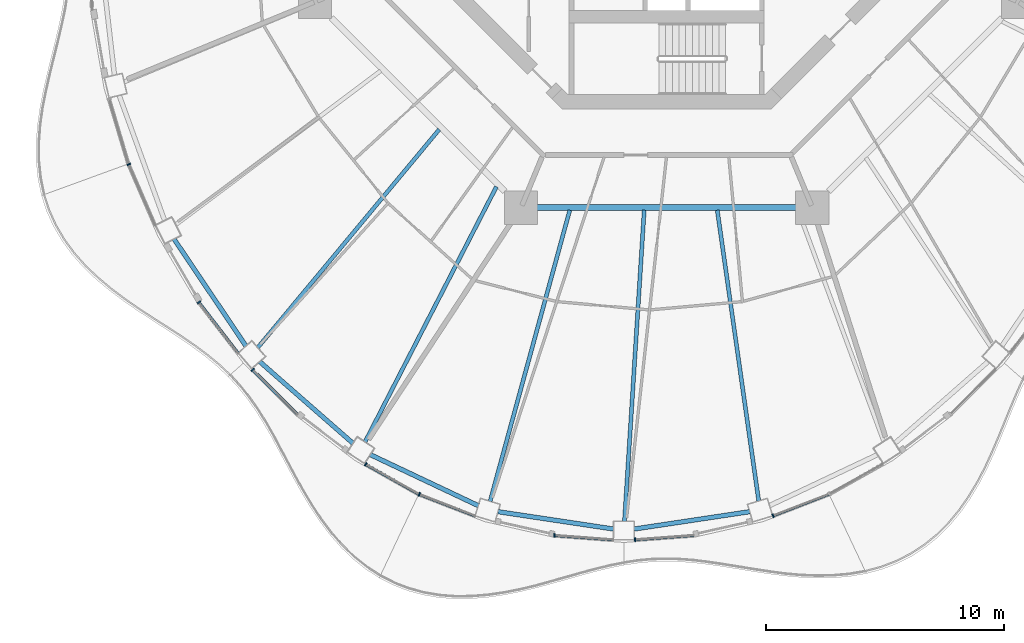
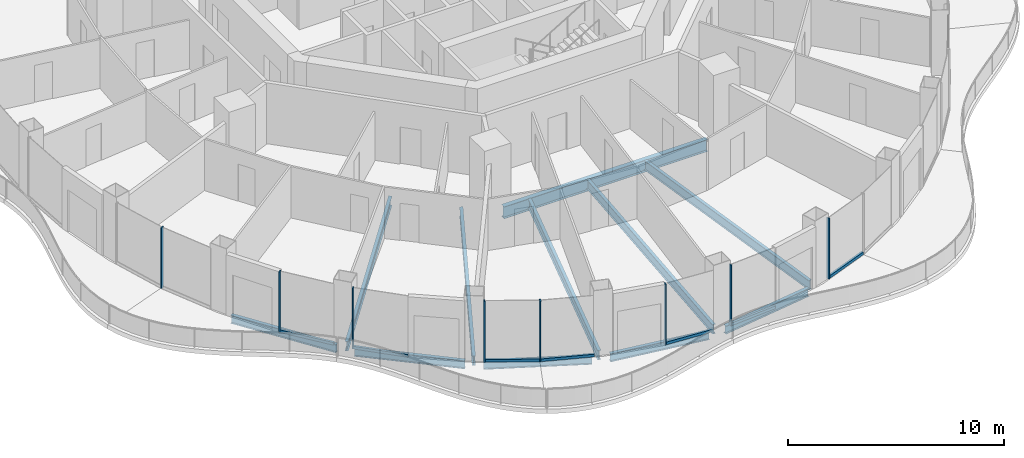
# One storey, part 2 of 17: 15 members, 11 beams, 8 elements without a shape of their own.
"""IFC4 building model written with IfcOpenShell, lengths in metres."""

from ifc_helpers import new_model, si_unit, direction, frame, origin, origin_2d, place, context, subcontext, project, spatial, rectangle, i_section, extrude, material, layer, layer_set, material_profile, profile_set, type_object, element, aggregate, save


model = new_model("IFC4")

# Units and contexts
model_context = context("Model", 3, precision=1e-05, world=origin(), true_north=direction((0.0, 1.0)))
body_context = subcontext(model_context, "Body", "Model", "MODEL_VIEW")
ifc_project = project(units=[si_unit("LENGTHUNIT", "METRE"), si_unit("AREAUNIT", "SQUARE_METRE"), si_unit("VOLUMEUNIT", "CUBIC_METRE"), si_unit("PLANEANGLEUNIT", "RADIAN"), si_unit("MASSUNIT", "GRAM", prefix="KILO")], contexts=[model_context])

# Site, building, storey
site_placement = place(None, origin())
site = spatial("IfcSite", under=ifc_project, at=site_placement, CompositionType="ELEMENT")
building_placement = place(site_placement, origin())
building = spatial("IfcBuilding", under=site, at=building_placement, Name="Nagisa Residences", CompositionType="ELEMENT")
storey_placement = place(building_placement, frame((0.0, 0.0, 288.10009765625)))
storey = spatial("IfcBuildingStorey", under=building, at=storey_placement, Name="L73", CompositionType="ELEMENT", Elevation=288.10009765625)

# Curtain wall, member
ifc_material_1 = material(Name="Concrete-coloured aluminium curtain wall system", Category="concrete")
ifc_layer = layer(ifc_material_1, 0.159912109375)
ifc_layer_set = layer_set([ifc_layer], Name="CW1 CURTAIN WALL")
curtain_wall_type = type_object("IfcCurtainWallType", Name="CW1 CURTAIN WALL", PredefinedType="NOTDEFINED", material=ifc_layer_set)
curtain_wall_1_placement = place(storey_placement, origin())
curtain_wall_1 = element("IfcCurtainWall", 1, at=curtain_wall_1_placement, inside=storey, type_object=curtain_wall_type, Name="cw:CW1:L73:27", PredefinedType="NOTDEFINED")
ifc_material_2 = material(Name="Concrete-coloured aluminium", Category="concrete")
ifc_material_profile_1 = material_profile(ifc_material_2, rectangle(XDim=0.159912109375, YDim=0.06005859375, at=origin_2d()), Name="CW1 MULLION 160x60")
ifc_profile_set_1 = profile_set([ifc_material_profile_1], Name="Concrete-coloured aluminium")
member_type_1 = type_object("IfcMemberType", Name="CW1 MULLION 160x60", PredefinedType="MULLION", material=ifc_profile_set_1)
member_1_placement = place(storey_placement, frame((-22.61279296875, -12.963623046875, 0.0), z_axis=(0.0, 0.0, 1.0), x_axis=(0.917543276295, 0.397635934147, 0.0)))
member_1 = element("IfcMember", 2, at=member_1_placement, type_object=member_type_1, Name="CW1 mullion", PredefinedType="MULLION", context=body_context, shape_type="SweptSolid", body=[
    extrude(rectangle(XDim=0.159912109375, YDim=0.06005859375, at=origin_2d()), origin(), (0.0, 0.0, 1.0), 3.43994140625),
])
aggregate(curtain_wall_1, [member_1])

curtain_wall_2_placement = place(storey_placement, origin())
curtain_wall_2 = element("IfcCurtainWall", 3, at=curtain_wall_2_placement, inside=storey, type_object=curtain_wall_type, Name="cw:CW1:L73:29", PredefinedType="NOTDEFINED")
member_2_placement = place(storey_placement, frame((-19.6640625, -18.76220703125, 0.0), z_axis=(0.0, 0.0, 1.0), x_axis=(0.792070340816, 0.610429828235, 0.0)))
member_2 = element("IfcMember", 4, at=member_2_placement, type_object=member_type_1, Name="CW1 mullion", PredefinedType="MULLION", context=body_context, shape_type="SweptSolid", body=[
    extrude(rectangle(XDim=0.159912109375, YDim=0.06005859375, at=origin_2d()), origin(), (0.0, 0.0, 1.0), 3.43994140625),
])

curtain_wall_3_placement = place(storey_placement, origin())
curtain_wall_3 = element("IfcCurtainWall", 5, at=curtain_wall_3_placement, inside=storey, type_object=curtain_wall_type, Name="cw:CW1:L73:30", PredefinedType="NOTDEFINED")
member_3_placement = place(storey_placement, frame((-17.3984375, -21.60107421875, 0.0), z_axis=(0.0, 0.0, 1.0), x_axis=(0.706376885714, 0.707835924016, 0.0)))
member_3 = element("IfcMember", 6, at=member_3_placement, type_object=member_type_1, Name="CW1 mullion", PredefinedType="MULLION", context=body_context, shape_type="SweptSolid", body=[
    extrude(rectangle(XDim=0.159912109375, YDim=0.06005859375, at=origin_2d()), origin(), (0.0, 0.0, 1.0), 3.43994140625),
])

curtain_wall_4_placement = place(storey_placement, origin())
curtain_wall_4 = element("IfcCurtainWall", 7, at=curtain_wall_4_placement, inside=storey, type_object=curtain_wall_type, Name="cw:CW1:L73:32", PredefinedType="NOTDEFINED")
member_4_placement = place(storey_placement, frame((-12.65234375, -25.57421875, 0.0), z_axis=(0.0, 0.0, 1.0), x_axis=(0.489376918501, 0.872072377523, 0.0)))
member_4 = element("IfcMember", 8, at=member_4_placement, type_object=member_type_1, Name="CW1 mullion", PredefinedType="MULLION", context=body_context, shape_type="SweptSolid", body=[
    extrude(rectangle(XDim=0.159912109375, YDim=0.06005859375, at=origin_2d()), origin(), (0.0, 0.0, 1.0), 3.43994140625),
])

curtain_wall_5_placement = place(storey_placement, origin())
curtain_wall_5 = element("IfcCurtainWall", 9, at=curtain_wall_5_placement, inside=storey, type_object=curtain_wall_type, Name="cw:CW1:L73:33", PredefinedType="NOTDEFINED")
member_5_placement = place(storey_placement, frame((-10.3994140625, -26.83447265625, 0.0), z_axis=(0.0, 0.0, 1.0), x_axis=(0.360327770268, 0.932825759707, 0.0)))
member_5 = element("IfcMember", 10, at=member_5_placement, type_object=member_type_1, Name="CW1 mullion", PredefinedType="MULLION", context=body_context, shape_type="SweptSolid", body=[
    extrude(rectangle(XDim=0.159912109375, YDim=0.06005859375, at=origin_2d()), origin(), (0.0, 0.0, 1.0), 3.43994140625),
])

curtain_wall_6_placement = place(storey_placement, origin())
curtain_wall_6 = element("IfcCurtainWall", 11, at=curtain_wall_6_placement, inside=storey, type_object=curtain_wall_type, Name="cw:CW1:L73:35", PredefinedType="NOTDEFINED")
member_6_placement = place(storey_placement, frame((-4.716552734375, -28.559814453125, 0.0), z_axis=(0.0, 0.0, 1.0), x_axis=(0.074377355493, 0.997230168512, 0.0)))
member_6 = element("IfcMember", 12, at=member_6_placement, type_object=member_type_1, Name="CW1 mullion", PredefinedType="MULLION", context=body_context, shape_type="SweptSolid", body=[
    extrude(rectangle(XDim=0.159912109375, YDim=0.06005859375, at=origin_2d()), origin(), (0.0, 0.0, 1.0), 3.43994140625),
])

curtain_wall_7_placement = place(storey_placement, origin())
curtain_wall_7 = element("IfcCurtainWall", 13, at=curtain_wall_7_placement, inside=storey, type_object=curtain_wall_type, Name="cw:CW1:L73:36", PredefinedType="NOTDEFINED")
member_7_placement = place(storey_placement, frame((-1.327392578125, -28.7421875, 0.0), z_axis=(0.0, 0.0, 1.0), x_axis=(-0.074377355493, 0.997230168512, 0.0)))
member_7 = element("IfcMember", 14, at=member_7_placement, type_object=member_type_1, Name="CW1 mullion", PredefinedType="MULLION", context=body_context, shape_type="SweptSolid", body=[
    extrude(rectangle(XDim=0.159912109375, YDim=0.06005859375, at=origin_2d()), origin(), (0.0, 0.0, 1.0), 3.43994140625),
])

curtain_wall_8_placement = place(storey_placement, origin())
curtain_wall_8 = element("IfcCurtainWall", 15, at=curtain_wall_8_placement, inside=storey, type_object=curtain_wall_type, Name="cw:CW1:L73:38", PredefinedType="NOTDEFINED")
member_8_placement = place(storey_placement, frame((4.473388671875, -27.733154296875, 0.0), z_axis=(0.0, 0.0, 1.0), x_axis=(-0.360327770268, 0.932825759707, 0.0)))
member_8 = element("IfcMember", 16, at=member_8_placement, type_object=member_type_1, Name="CW1 mullion", PredefinedType="MULLION", context=body_context, shape_type="SweptSolid", body=[
    extrude(rectangle(XDim=0.159912109375, YDim=0.06005859375, at=origin_2d()), origin(), (0.0, 0.0, 1.0), 3.43994140625),
])

# Member
ifc_material_3 = material(Name="Concrete-coloured aluminium", Category="concrete")
ifc_material_profile_2 = material_profile(ifc_material_3, rectangle(XDim=0.1201171875, YDim=0.14990234375, at=origin_2d()), Name="CW1 TRANSOM 120x150")
ifc_profile_set_2 = profile_set([ifc_material_profile_2], Name="Concrete-coloured aluminium")
member_type_2 = type_object("IfcMemberType", Name="CW1 TRANSOM 120x150", PredefinedType="USERDEFINED", material=ifc_profile_set_2)
member_9_placement = place(storey_placement, frame((-19.682373046875, -18.73828125, 0.074951171875), z_axis=(0.610432336622, -0.792068407656, 0.0), x_axis=(0.792068407656, 0.610432336622, 0.0)))
member_9 = element("IfcMember", 17, at=member_9_placement, type_object=member_type_2, Name="CW1 transom", ObjectType="TRANSOM", PredefinedType="USERDEFINED", context=body_context, shape_type="SweptSolid", body=[
    extrude(rectangle(XDim=0.1201171875, YDim=0.14990234375, at=origin_2d()), origin(), (0.0, 0.0, 1.0), 2.74609375),
])

aggregate(curtain_wall_2, [member_2, member_9])

member_10_placement = place(storey_placement, frame((-17.419677734375, -21.579833984375, 0.074951171875), z_axis=(0.707831739508, -0.706381078841, 0.0), x_axis=(0.706381078841, 0.707831739508, 0.0)))
member_10 = element("IfcMember", 18, at=member_10_placement, type_object=member_type_2, Name="CW1 transom", ObjectType="TRANSOM", PredefinedType="USERDEFINED", context=body_context, shape_type="SweptSolid", body=[
    extrude(rectangle(XDim=0.1201171875, YDim=0.14990234375, at=origin_2d()), origin(), (0.0, 0.0, 1.0), 2.692626953125),
])

aggregate(curtain_wall_3, [member_3, member_10])

member_11_placement = place(storey_placement, frame((-12.678466796875, -25.5595703125, 0.074951171875), z_axis=(0.872052877201, -0.489411666561, 0.0), x_axis=(0.489411666561, 0.872052877201, 0.0)))
member_11 = element("IfcMember", 19, at=member_11_placement, type_object=member_type_2, Name="CW1 transom", ObjectType="TRANSOM", PredefinedType="USERDEFINED", context=body_context, shape_type="SweptSolid", body=[
    extrude(rectangle(XDim=0.1201171875, YDim=0.14990234375, at=origin_2d()), origin(), (0.0, 0.0, 1.0), 2.593017578125),
])

aggregate(curtain_wall_4, [member_4, member_11])

member_12_placement = place(storey_placement, frame((-10.427490234375, -26.82373046875, 0.074951171875), z_axis=(0.93282223778, -0.360336887792, 0.0), x_axis=(0.360336887792, 0.93282223778, 0.0)))
member_12 = element("IfcMember", 20, at=member_12_placement, type_object=member_type_2, Name="CW1 transom", ObjectType="TRANSOM", PredefinedType="USERDEFINED", context=body_context, shape_type="SweptSolid", body=[
    extrude(rectangle(XDim=0.1201171875, YDim=0.14990234375, at=origin_2d()), origin(), (0.0, 0.0, 1.0), 2.5537109375),
])

aggregate(curtain_wall_5, [member_5, member_12])

member_13_placement = place(storey_placement, frame((-4.74658203125, -28.5576171875, 0.074951171875), z_axis=(0.99722914645, -0.074391057731, 0.0), x_axis=(0.074391057731, 0.99722914645, 0.0)))
member_13 = element("IfcMember", 21, at=member_13_placement, type_object=member_type_2, Name="CW1 transom", ObjectType="TRANSOM", PredefinedType="USERDEFINED", context=body_context, shape_type="SweptSolid", body=[
    extrude(rectangle(XDim=0.1201171875, YDim=0.14990234375, at=origin_2d()), origin(), (0.0, 0.0, 1.0), 2.510498046875),
])

aggregate(curtain_wall_6, [member_6, member_13])

member_14_placement = place(storey_placement, frame((-1.357177734375, -28.744384765625, 0.074951171875), z_axis=(0.99722914645, 0.074391057731, 0.0), x_axis=(-0.074391057731, 0.99722914645, 0.0)))
member_14 = element("IfcMember", 22, at=member_14_placement, type_object=member_type_2, Name="CW1 transom", ObjectType="TRANSOM", PredefinedType="USERDEFINED", context=body_context, shape_type="SweptSolid", body=[
    extrude(rectangle(XDim=0.1201171875, YDim=0.14990234375, at=origin_2d()), origin(), (0.0, 0.0, 1.0), 2.510498046875),
])

aggregate(curtain_wall_7, [member_7, member_14])

member_15_placement = place(storey_placement, frame((4.4453125, -27.743896484375, 0.074951171875), z_axis=(0.93282223778, 0.360336887792, 0.0), x_axis=(-0.360336887792, 0.93282223778, 0.0)))
member_15 = element("IfcMember", 23, at=member_15_placement, type_object=member_type_2, Name="CW1 transom", ObjectType="TRANSOM", PredefinedType="USERDEFINED", context=body_context, shape_type="SweptSolid", body=[
    extrude(rectangle(XDim=0.1201171875, YDim=0.14990234375, at=origin_2d()), origin(), (0.0, 0.0, 1.0), 2.5537109375),
])

aggregate(curtain_wall_8, [member_8, member_15])

# Beams
ifc_material_4 = material(Name="Steel ASTM A572 Gr 50", Category="steel")
ifc_material_profile_3 = material_profile(ifc_material_4, i_section(OverallWidth=0.2529296875, OverallDepth=0.677978515625, WebThickness=0.01171875, FlangeThickness=0.016357421875, at=origin_2d()), Name="W690x125")
ifc_profile_set_3 = profile_set([ifc_material_profile_3], Name="Steel ASTM A572 Gr 50")
beam_type_1 = type_object("IfcBeamType", Name="Inner ring beam W690x125", PredefinedType="BEAM", material=ifc_profile_set_3)
beam_1_placement = place(storey_placement, frame((-5.44287109375, -14.781982421875, -0.59912109375), z_axis=(1.0, 0.0, 0.0), x_axis=(0.0, 1.0, 0.0)))
element("IfcBeam", 24, at=beam_1_placement, inside=storey, type_object=beam_type_1, Name="beam:L73:ib6", PredefinedType="BEAM", context=body_context, shape_type="SweptSolid", body=[
    extrude(i_section(OverallWidth=0.2529296875, OverallDepth=0.677978515625, WebThickness=0.01171875, FlangeThickness=0.016357421875, at=origin_2d()), origin(), (0.0, 0.0, 1.0), 10.8857421875),
])
ifc_material_5 = material(Name="Steel ASTM A572 Gr 50", Category="steel")
ifc_material_profile_4 = material_profile(ifc_material_5, i_section(OverallWidth=0.18994140625, OverallDepth=0.45703125, WebThickness=0.009033203125, FlangeThickness=0.014404296875, at=origin_2d()), Name="W460x74")
ifc_profile_set_4 = profile_set([ifc_material_profile_4], Name="Steel ASTM A572 Gr 50")
beam_type_2 = type_object("IfcBeamType", Name="Perimeter ring beam W460x74", PredefinedType="BEAM", material=ifc_profile_set_4)
beam_2_placement = place(storey_placement, frame((-20.714599609375, -16.097412109375, -0.488525390625), z_axis=(0.558014665254, -0.829831087247, 0.0), x_axis=(0.829831087247, 0.558014665254, 0.0)))
element("IfcBeam", 25, at=beam_2_placement, inside=storey, type_object=beam_type_2, Name="beam:L73:pb15", PredefinedType="BEAM", context=body_context, shape_type="SweptSolid", body=[
    extrude(i_section(OverallWidth=0.18994140625, OverallDepth=0.45703125, WebThickness=0.009033203125, FlangeThickness=0.014404296875, at=origin_2d()), origin(), (0.0, 0.0, 1.0), 5.43212890625),
])
beam_3_placement = place(storey_placement, frame((-17.11474609375, -21.2509765625, -0.488525390625), z_axis=(0.752365189148, -0.658746250204, 0.0), x_axis=(0.658746250204, 0.752365189148, 0.0)))
element("IfcBeam", 26, at=beam_3_placement, inside=storey, type_object=beam_type_2, Name="beam:L73:pb16", PredefinedType="BEAM", context=body_context, shape_type="SweptSolid", body=[
    extrude(i_section(OverallWidth=0.18994140625, OverallDepth=0.45703125, WebThickness=0.009033203125, FlangeThickness=0.014404296875, at=origin_2d()), origin(), (0.0, 0.0, 1.0), 5.220947265625),
])
beam_4_placement = place(storey_placement, frame((-12.46728515625, -25.161865234375, -0.488525390625), z_axis=(0.904115893837, -0.427287316113, 0.0), x_axis=(0.427287316113, 0.904115893837, 0.0)))
element("IfcBeam", 27, at=beam_4_placement, inside=storey, type_object=beam_type_2, Name="beam:L73:pb17", PredefinedType="BEAM", context=body_context, shape_type="SweptSolid", body=[
    extrude(i_section(OverallWidth=0.18994140625, OverallDepth=0.45703125, WebThickness=0.009033203125, FlangeThickness=0.014404296875, at=origin_2d()), origin(), (0.0, 0.0, 1.0), 5.031494140625),
])
beam_5_placement = place(storey_placement, frame((-7.094970703125, -27.562255859375, -0.488525390625), z_axis=(0.98890648267, -0.148539451101, 0.0), x_axis=(0.148539451101, 0.98890648267, 0.0)))
element("IfcBeam", 28, at=beam_5_placement, inside=storey, type_object=beam_type_2, Name="beam:L73:pb18", PredefinedType="BEAM", context=body_context, shape_type="SweptSolid", body=[
    extrude(i_section(OverallWidth=0.18994140625, OverallDepth=0.45703125, WebThickness=0.009033203125, FlangeThickness=0.014404296875, at=origin_2d()), origin(), (0.0, 0.0, 1.0), 4.91943359375),
])
beam_6_placement = place(storey_placement, frame((-1.369873046875, -28.29296875, -0.488525390625), z_axis=(0.988907577601, 0.148532161377, 0.0), x_axis=(-0.148532161377, 0.988907577601, 0.0)))
element("IfcBeam", 29, at=beam_6_placement, inside=storey, type_object=beam_type_2, Name="beam:L73:pb19", PredefinedType="BEAM", context=body_context, shape_type="SweptSolid", body=[
    extrude(i_section(OverallWidth=0.18994140625, OverallDepth=0.45703125, WebThickness=0.009033203125, FlangeThickness=0.014404296875, at=origin_2d()), origin(), (0.0, 0.0, 1.0), 4.919677734375),
])
ifc_material_6 = material(Name="Steel ASTM A572 Gr 50", Category="steel")
ifc_material_profile_5 = material_profile(ifc_material_6, i_section(OverallWidth=0.166015625, OverallDepth=0.534912109375, WebThickness=0.01025390625, FlangeThickness=0.0166015625, at=origin_2d()), Name="W530x85")
ifc_profile_set_5 = profile_set([ifc_material_profile_5], Name="Steel ASTM A572 Gr 50")
beam_type_3 = type_object("IfcBeamType", Name="Radial beam W530x85", PredefinedType="BEAM", material=ifc_profile_set_5)
beam_7_placement = place(storey_placement, frame((-17.195068359375, -20.669189453125, -0.527587890625), z_axis=(0.639540330466, 0.768757546764, 0.0), x_axis=(-0.768757546764, 0.639540330466, 0.0)))
element("IfcBeam", 30, at=beam_7_placement, inside=storey, type_object=beam_type_3, Name="beam:L73:rb16", PredefinedType="BEAM", context=body_context, shape_type="SweptSolid", body=[
    extrude(i_section(OverallWidth=0.166015625, OverallDepth=0.534912109375, WebThickness=0.01025390625, FlangeThickness=0.0166015625, at=origin_2d()), origin(), (0.0, 0.0, 1.0), 11.935302734375),
])
beam_8_placement = place(storey_placement, frame((-12.68505859375, -24.63623046875, -0.527587890625), z_axis=(0.457775990682, 0.88906756906, 0.0), x_axis=(-0.88906756906, 0.457775990682, 0.0)))
element("IfcBeam", 31, at=beam_8_placement, inside=storey, type_object=beam_type_3, Name="beam:L73:rb17", PredefinedType="BEAM", context=body_context, shape_type="SweptSolid", body=[
    extrude(i_section(OverallWidth=0.166015625, OverallDepth=0.534912109375, WebThickness=0.01025390625, FlangeThickness=0.0166015625, at=origin_2d()), origin(), (0.0, 0.0, 1.0), 12.075927734375),
])
beam_9_placement = place(storey_placement, frame((-7.4248046875, -27.130859375, -0.527587890625), z_axis=(0.263957181957, 0.964534398606, 0.0), x_axis=(-0.964534398606, 0.263957181957, 0.0)))
element("IfcBeam", 32, at=beam_9_placement, inside=storey, type_object=beam_type_3, Name="beam:L73:rb18", PredefinedType="BEAM", context=body_context, shape_type="SweptSolid", body=[
    extrude(i_section(OverallWidth=0.166015625, OverallDepth=0.534912109375, WebThickness=0.01025390625, FlangeThickness=0.0166015625, at=origin_2d()), origin(), (0.0, 0.0, 1.0), 12.69189453125),
])
beam_10_placement = place(storey_placement, frame((-1.77587890625, -27.9775390625, -0.527587890625), z_axis=(0.06334711, 0.997991554901, 0.0), x_axis=(-0.997991554901, 0.06334711, 0.0)))
element("IfcBeam", 33, at=beam_10_placement, inside=storey, type_object=beam_type_3, Name="beam:L73:rb19", PredefinedType="BEAM", context=body_context, shape_type="SweptSolid", body=[
    extrude(i_section(OverallWidth=0.166015625, OverallDepth=0.534912109375, WebThickness=0.01025390625, FlangeThickness=0.0166015625, at=origin_2d()), origin(), (0.0, 0.0, 1.0), 13.115234375),
])
beam_11_placement = place(storey_placement, frame((3.87060546875, -27.11669921875, -0.527587890625), z_axis=(-0.141302367909, 0.989966484697, 0.0), x_axis=(-0.989966484697, -0.141302367909, 0.0)))
element("IfcBeam", 34, at=beam_11_placement, inside=storey, type_object=beam_type_3, Name="beam:L73:rb20", PredefinedType="BEAM", context=body_context, shape_type="SweptSolid", body=[
    extrude(i_section(OverallWidth=0.166015625, OverallDepth=0.534912109375, WebThickness=0.01025390625, FlangeThickness=0.0166015625, at=origin_2d()), origin(), (0.0, 0.0, 1.0), 12.35205078125),
])

save(model, "model.ifc")
